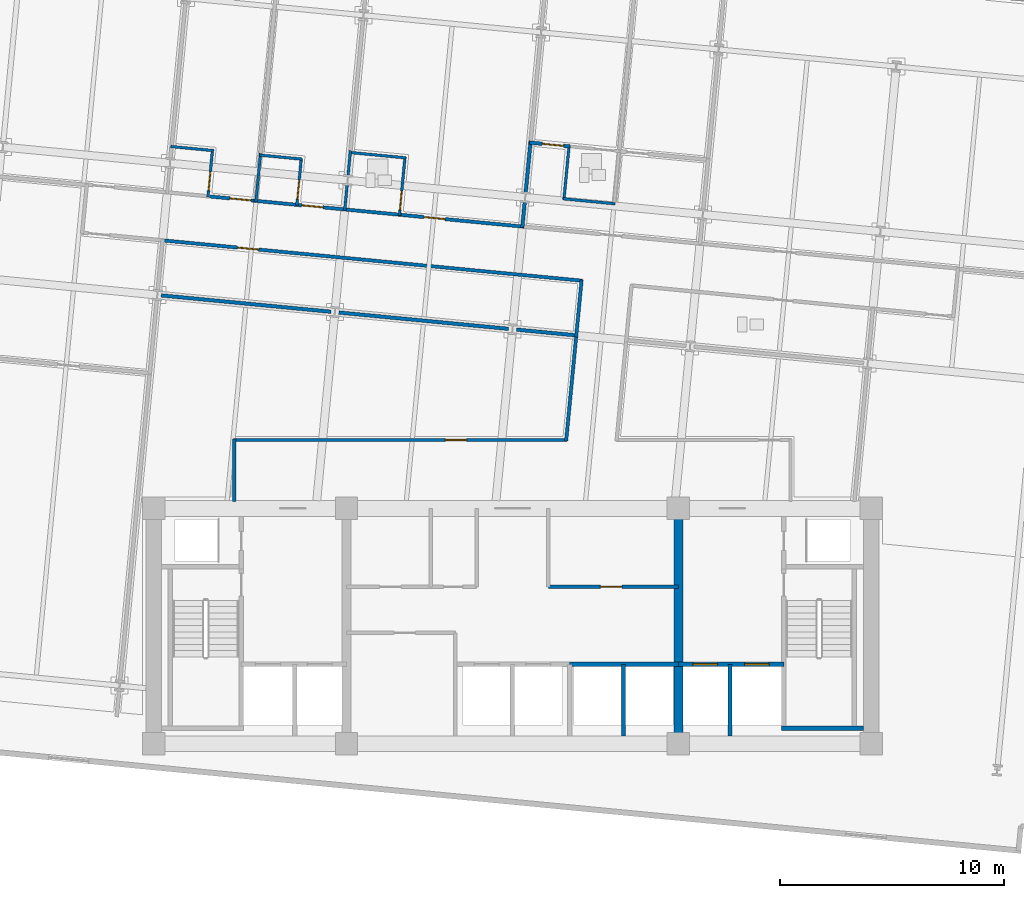
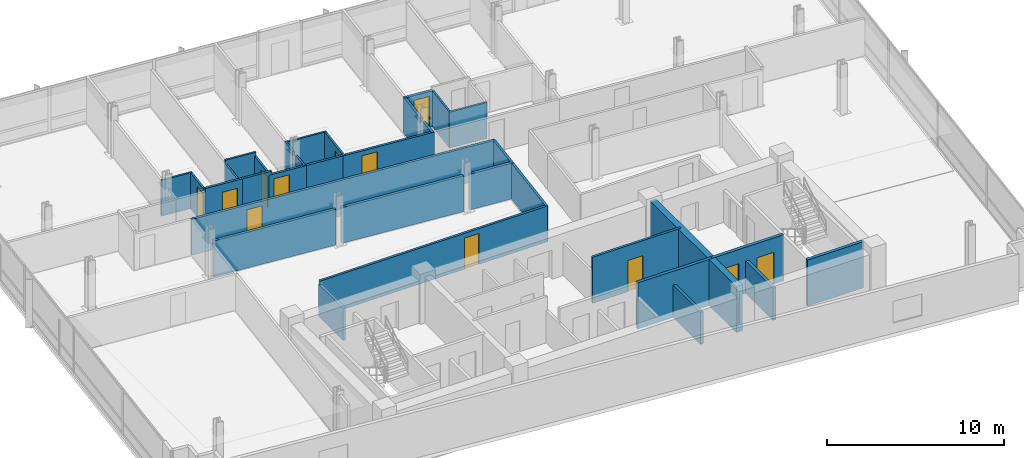
# One storey, part 11 of 17: 34 walls, 12 doors, 12 openings.
"""IFC4 building model written with IfcOpenShell, lengths in metres."""

from ifc_helpers import new_model, si_unit, direction, frame, frame_2d, origin, place, context, subcontext, project, spatial, rectangle, extrude, material, layer, layer_set, type_object, element, fill, save


model = new_model("IFC4")

# Units and contexts
model_context = context("Model", 3, precision=1e-05, world=origin(), true_north=direction((0.0, 1.0)))
body_context = subcontext(model_context, "Body", "Model", "MODEL_VIEW")
ifc_project = project(units=[si_unit("LENGTHUNIT", "METRE"), si_unit("AREAUNIT", "SQUARE_METRE"), si_unit("VOLUMEUNIT", "CUBIC_METRE"), si_unit("PLANEANGLEUNIT", "RADIAN"), si_unit("MASSUNIT", "GRAM", prefix="KILO")], contexts=[model_context])

# Site, building, storey
site_placement = place(None, origin())
site = spatial("IfcSite", under=ifc_project, at=site_placement, CompositionType="ELEMENT")
building_placement = place(site_placement, origin())
building = spatial("IfcBuilding", under=site, at=building_placement, Name="Solmavex Isthmus Hotel", CompositionType="ELEMENT")
storey_placement = place(building_placement, frame((0.0, 0.0, 156.60009765625)))
storey = spatial("IfcBuildingStorey", under=building, at=storey_placement, Name="L42", CompositionType="ELEMENT", Elevation=156.60009765625)

# Walls
ifc_material_1 = material(Name="Gypsum plasterboard lining", Category="gypsum")
ifc_layer_1 = layer(ifc_material_1, 0.159912109375)
ifc_layer_set_1 = layer_set([ifc_layer_1], Name="Gypsum plasterboard lining")
wall_type_1 = type_object("IfcWallType", Name="IW-COMP-160", PredefinedType="PARTITIONING", material=ifc_layer_set_1)
wall_1_placement = place(storey_placement, frame((0.55078125, 11.196044921875, 0.0), z_axis=(0.0, 0.0, 1.0), x_axis=(-0.096017994315, -0.995379598328, 0.0)))
element("IfcWall", 1, at=wall_1_placement, inside=storey, type_object=wall_type_1, Name="Interior Partition Wall W-L42-P040", PredefinedType="PARTITIONING", context=body_context, shape_type="SweptSolid", body=[
    extrude(rectangle(XDim=1.172119140625, YDim=0.159912109375, at=frame_2d((0.5859375, 0.0))), origin(), (0.0, 0.0, 1.0), 2.4794921875),
])
wall_2_placement = place(storey_placement, frame((0.810302734375, 13.8916015625, 0.0), z_axis=(0.0, 0.0, 1.0), x_axis=(-0.095850619404, -0.995395729728, 0.0)))
element("IfcWall", 2, at=wall_2_placement, inside=storey, type_object=wall_type_1, Name="Interior Partition Wall W-L42-P041", PredefinedType="PARTITIONING", context=body_context, shape_type="SweptSolid", body=[
    extrude(rectangle(XDim=2.35595703125, YDim=0.159912109375, at=frame_2d((1.177978515625, 0.0))), origin(), (0.0, 0.0, 1.0), 2.4794921875),
])

# Wall, opening, door
wall_3_placement = place(storey_placement, frame((0.762451171875, 13.813720703125, 0.0), z_axis=(0.0, 0.0, 1.0), x_axis=(0.995394173932, -0.095866774755, 0.0)))
wall_3 = element("IfcWall", 3, at=wall_3_placement, inside=storey, type_object=wall_type_1, Name="Interior Partition Wall W-L42-P044", PredefinedType="PARTITIONING", context=body_context, shape_type="SweptSolid", body=[
    extrude(rectangle(XDim=1.80810546875, YDim=0.159912109375, at=frame_2d((0.904052734375, 0.0))), origin(), (0.0, 0.0, 1.0), 2.4794921875),
])
opening_1_placement = place(wall_3_placement, frame((0.57421875, 0.0, 0.0)))
opening_1 = element("IfcOpeningElement", 4, at=opening_1_placement, cuts=wall_3, Name="Opening ID-C095", PredefinedType="OPENING", context=body_context, shape_type="SweptSolid", body=[
    extrude(rectangle(XDim=0.949951171875, YDim=2.14990234375, at=frame_2d((0.47509765625, 1.074951171875))), frame((0.0, 0.08984375, 0.0), z_axis=(0.0, -1.0, 0.0), x_axis=(1.0, 0.0, 0.0)), (0.0, 0.0, 1.0), 0.179931640625),
])
ifc_material_2 = material(Name="Hardwood timber", Category="wood")
door_type_1 = type_object("IfcDoorType", Name="IDR-FD60-0950", OperationType="NOTDEFINED", PredefinedType="DOOR", material=ifc_material_2)
door_1_placement = place(opening_1_placement, origin())
door_1 = element("IfcDoor", 5, at=door_1_placement, inside=storey, type_object=door_type_1, Name="Ambassador Suite Bedroom Door L42-09", OperationType="SINGLE_SWING_LEFT", OverallHeight=2.14990234375, OverallWidth=0.949951171875, PredefinedType="DOOR", context=body_context, shape_type="SweptSolid", body=[
    extrude(rectangle(XDim=0.949951171875, YDim=2.14990234375, at=frame_2d((0.47509765625, 1.074951171875))), frame((0.0, 0.02490234375, 0.0), z_axis=(0.0, -1.0, 0.0), x_axis=(1.0, 0.0, 0.0)), (0.0, 0.0, 1.0), 0.050048828125),
])
fill(opening_1, door_1)

# Walls
for number, where, z_axis, x_axis, name in (
    (6, (-8.09326171875, 6.269775390625, 0.0), (0.0, 0.0, 1.0), (-0.995396962155, 0.095837819954, 0.0), "Interior Partition Wall W-L42-P060"),
    (7, (-0.173828125, 5.507080078125, 0.0), (0.0, 0.0, 1.0), (-0.995393898805, 0.095869631385, 0.0), "Interior Partition Wall W-L42-P061"),
):
    element("IfcWall", number, at=place(storey_placement, frame(where, z_axis=z_axis, x_axis=x_axis)), inside=storey, type_object=wall_type_1, Name=name, PredefinedType="PARTITIONING", context=body_context, shape_type="SweptSolid", body=[
        extrude(rectangle(XDim=7.60400390625, YDim=0.159912109375, at=frame_2d((3.802001953125, 0.0))), origin(), (0.0, 0.0, 1.0), 2.4794921875),
    ])
wall_4_placement = place(storey_placement, frame((2.885986328125, 5.212646484375, 0.0), z_axis=(0.0, 0.0, 1.0), x_axis=(-0.995401466761, 0.095791022391, 0.0)))
element("IfcWall", 8, at=wall_4_placement, inside=storey, type_object=wall_type_1, Name="Interior Partition Wall W-L42-P062", PredefinedType="PARTITIONING", context=body_context, shape_type="SweptSolid", body=[
    extrude(rectangle(XDim=2.721923828125, YDim=0.159912109375, at=frame_2d((1.36083984375, 0.0))), origin(), (0.0, 0.0, 1.0), 2.4794921875),
])

# Wall, opening, door
ifc_layer_2 = layer(ifc_material_1, 0.14990234375)
ifc_layer_set_2 = layer_set([ifc_layer_2], Name="Gypsum plasterboard lining")
wall_type_2 = type_object("IfcWallType", Name="IW-CORR-150", PredefinedType="PARTITIONING", material=ifc_layer_set_2)
wall_5_placement = place(storey_placement, frame((1.60009765625, -6.0, 0.0), z_axis=(0.0, 0.0, 1.0), x_axis=(1.0, 0.0, 0.0)))
wall_5 = element("IfcWall", 9, at=wall_5_placement, inside=storey, type_object=wall_type_2, Name="Interior Partition Wall W-L42-BOH-ES", PredefinedType="PARTITIONING", context=body_context, shape_type="SweptSolid", body=[
    extrude(rectangle(XDim=5.7998046875, YDim=0.14990234375, at=frame_2d((2.89990234375, 0.0))), origin(), (0.0, 0.0, 1.0), 3.18994140625),
])
opening_2_placement = place(wall_5_placement, frame((2.324951171875, 0.0, 0.0)))
opening_2 = element("IfcOpeningElement", 10, at=opening_2_placement, cuts=wall_5, Name="Opening ID-C095", PredefinedType="OPENING", context=body_context, shape_type="SweptSolid", body=[
    extrude(rectangle(XDim=0.949951171875, YDim=2.14990234375, at=frame_2d((0.47509765625, 1.074951171875))), frame((0.0, 0.0849609375, 0.0), z_axis=(0.0, -1.0, 0.0), x_axis=(1.0, 0.0, 0.0)), (0.0, 0.0, 1.0), 0.169921875),
])
door_2_placement = place(opening_2_placement, frame((0.949951171875, 0.0, 0.0), z_axis=(0.0, 0.0, 1.0), x_axis=(-1.0, 0.0, 0.0)))
door_2 = element("IfcDoor", 11, at=door_2_placement, inside=storey, type_object=door_type_1, Name="Butler Pantry Door L42", OperationType="SINGLE_SWING_RIGHT", OverallHeight=2.14990234375, OverallWidth=0.949951171875, PredefinedType="DOOR", context=body_context, shape_type="SweptSolid", body=[
    extrude(rectangle(XDim=0.949951171875, YDim=2.14990234375, at=frame_2d((0.47509765625, 1.074951171875))), frame((0.0, 0.02490234375, 0.0), z_axis=(0.0, -1.0, 0.0), x_axis=(1.0, 0.0, 0.0)), (0.0, 0.0, 1.0), 0.050048828125),
])
fill(opening_2, door_2)

wall_6_placement = place(storey_placement, frame((-13.65673828125, 11.4267578125, 0.0), z_axis=(0.0, 0.0, 1.0), x_axis=(0.995393345625, -0.095875374756, 0.0)))
wall_6 = element("IfcWall", 12, at=wall_6_placement, inside=storey, type_object=wall_type_2, Name="Interior Partition Wall W-L42-P002", PredefinedType="PARTITIONING", context=body_context, shape_type="SweptSolid", body=[
    extrude(rectangle(XDim=2.312255859375, YDim=0.14990234375, at=frame_2d((1.15625, 0.0))), origin(), (0.0, 0.0, 1.0), 2.718017578125),
])
opening_3_placement = place(wall_6_placement, frame((1.05615234375, 0.0, 0.0)))
opening_3 = element("IfcOpeningElement", 13, at=opening_3_placement, cuts=wall_6, Name="Opening ID-C095", PredefinedType="OPENING", context=body_context, shape_type="SweptSolid", body=[
    extrude(rectangle(XDim=0.949951171875, YDim=2.14990234375, at=frame_2d((0.47509765625, 1.074951171875))), frame((0.0, 0.0849609375, 0.0), z_axis=(0.0, -1.0, 0.0), x_axis=(1.0, 0.0, 0.0)), (0.0, 0.0, 1.0), 0.169921875),
])
door_3_placement = place(opening_3_placement, frame((0.949951171875, 0.0, 0.0), z_axis=(0.0, 0.0, 1.0), x_axis=(-1.0, 0.0, 0.0)))
door_3 = element("IfcDoor", 14, at=door_3_placement, inside=storey, type_object=door_type_1, Name="Premier Guest Room Door L42-02", OperationType="SINGLE_SWING_RIGHT", OverallHeight=2.14990234375, OverallWidth=0.949951171875, PredefinedType="DOOR", context=body_context, shape_type="SweptSolid", body=[
    extrude(rectangle(XDim=0.949951171875, YDim=2.14990234375, at=frame_2d((0.47509765625, 1.074951171875))), frame((0.0, 0.02490234375, 0.0), z_axis=(0.0, -1.0, 0.0), x_axis=(1.0, 0.0, 0.0)), (0.0, 0.0, 1.0), 0.050048828125),
])
fill(opening_3, door_3)

wall_7_placement = place(storey_placement, frame((-9.697021484375, 11.04541015625, 0.0), z_axis=(0.0, 0.0, 1.0), x_axis=(0.995393345625, -0.095875374756, 0.0)))
wall_7 = element("IfcWall", 15, at=wall_7_placement, inside=storey, type_object=wall_type_2, Name="Interior Partition Wall W-L42-P004", PredefinedType="PARTITIONING", context=body_context, shape_type="SweptSolid", body=[
    extrude(rectangle(XDim=2.312255859375, YDim=0.14990234375, at=frame_2d((1.15625, 0.0))), origin(), (0.0, 0.0, 1.0), 2.4794921875),
])
opening_4_placement = place(wall_7_placement, frame((0.30615234375, 0.0, 0.0)))
opening_4 = element("IfcOpeningElement", 16, at=opening_4_placement, cuts=wall_7, Name="Opening ID-C095", PredefinedType="OPENING", context=body_context, shape_type="SweptSolid", body=[
    extrude(rectangle(XDim=0.949951171875, YDim=2.14990234375, at=frame_2d((0.47509765625, 1.074951171875))), frame((0.0, 0.0849609375, 0.0), z_axis=(0.0, -1.0, 0.0), x_axis=(1.0, 0.0, 0.0)), (0.0, 0.0, 1.0), 0.169921875),
])
door_4_placement = place(opening_4_placement, frame((0.949951171875, 0.0, 0.0), z_axis=(0.0, 0.0, 1.0), x_axis=(-1.0, 0.0, 0.0)))
door_4 = element("IfcDoor", 17, at=door_4_placement, inside=storey, type_object=door_type_1, Name="Deluxe Guest Room Door L42-04", OperationType="SINGLE_SWING_RIGHT", OverallHeight=2.14990234375, OverallWidth=0.949951171875, PredefinedType="DOOR", context=body_context, shape_type="SweptSolid", body=[
    extrude(rectangle(XDim=0.949951171875, YDim=2.14990234375, at=frame_2d((0.47509765625, 1.074951171875))), frame((0.0, 0.02490234375, 0.0), z_axis=(0.0, -1.0, 0.0), x_axis=(1.0, 0.0, 0.0)), (0.0, 0.0, 1.0), 0.050048828125),
])
fill(opening_4, door_4)

# Wall
wall_8_placement = place(storey_placement, frame((-11.5185546875, 11.220947265625, 0.0), z_axis=(0.0, 0.0, 1.0), x_axis=(0.995394211968, -0.095866379824, 0.0)))
element("IfcWall", 18, at=wall_8_placement, inside=storey, type_object=wall_type_2, Name="Interior Partition Wall W-L42-P005", PredefinedType="PARTITIONING", context=body_context, shape_type="SweptSolid", body=[
    extrude(rectangle(XDim=1.994140625, YDim=0.14990234375, at=frame_2d((0.9970703125, 0.0))), origin(), (0.0, 0.0, 1.0), 2.718017578125),
])

# Wall, opening, door
wall_9_placement = place(storey_placement, frame((-5.1201171875, 10.604736328125, 0.0), z_axis=(0.0, 0.0, 1.0), x_axis=(0.995395844771, -0.095849424686, 0.0)))
wall_9 = element("IfcWall", 19, at=wall_9_placement, inside=storey, type_object=wall_type_2, Name="Interior Partition Wall W-L42-P006", PredefinedType="PARTITIONING", context=body_context, shape_type="SweptSolid", body=[
    extrude(rectangle(XDim=5.669921875, YDim=0.14990234375, at=frame_2d((2.8349609375, 0.0))), origin(), (0.0, 0.0, 1.0), 2.4794921875),
])
opening_5_placement = place(wall_9_placement, frame((1.18603515625, 0.0, 0.0)))
opening_5 = element("IfcOpeningElement", 20, at=opening_5_placement, cuts=wall_9, Name="Opening ID-C095", PredefinedType="OPENING", context=body_context, shape_type="SweptSolid", body=[
    extrude(rectangle(XDim=0.949951171875, YDim=2.14990234375, at=frame_2d((0.47509765625, 1.074951171875))), frame((0.0, 0.0849609375, 0.0), z_axis=(0.0, -1.0, 0.0), x_axis=(1.0, 0.0, 0.0)), (0.0, 0.0, 1.0), 0.169921875),
])
door_5_placement = place(opening_5_placement, frame((0.949951171875, 0.0, 0.0), z_axis=(0.0, 0.0, 1.0), x_axis=(-1.0, 0.0, 0.0)))
door_5 = element("IfcDoor", 21, at=door_5_placement, inside=storey, type_object=door_type_1, Name="Junior Suite Door L42-06", OperationType="SINGLE_SWING_RIGHT", OverallHeight=2.14990234375, OverallWidth=0.949951171875, PredefinedType="DOOR", context=body_context, shape_type="SweptSolid", body=[
    extrude(rectangle(XDim=0.949951171875, YDim=2.14990234375, at=frame_2d((0.47509765625, 1.074951171875))), frame((0.0, 0.02490234375, 0.0), z_axis=(0.0, -1.0, 0.0), x_axis=(1.0, 0.0, 0.0)), (0.0, 0.0, 1.0), 0.050048828125),
])
fill(opening_5, door_5)

# Walls
wall_10_placement = place(storey_placement, frame((-7.558837890625, 10.839599609375, 0.0), z_axis=(0.0, 0.0, 1.0), x_axis=(0.995398413865, -0.095822740911, 0.0)))
element("IfcWall", 22, at=wall_10_placement, inside=storey, type_object=wall_type_2, Name="Interior Partition Wall W-L42-P007", PredefinedType="PARTITIONING", context=body_context, shape_type="SweptSolid", body=[
    extrude(rectangle(XDim=2.614013671875, YDim=0.14990234375, at=frame_2d((1.30712890625, 0.0))), origin(), (0.0, 0.0, 1.0), 2.4794921875),
])
wall_11_placement = place(storey_placement, frame((2.83837890625, 5.134765625, 0.0), z_axis=(0.0, 0.0, 1.0), x_axis=(0.095772090971, 0.995403288417, 0.0)))
element("IfcWall", 23, at=wall_11_placement, inside=storey, type_object=wall_type_2, Name="Interior Partition Wall W-L42-P012", PredefinedType="PARTITIONING", context=body_context, shape_type="SweptSolid", body=[
    extrude(rectangle(XDim=2.572021484375, YDim=0.14990234375, at=frame_2d((1.2861328125, 0.0))), origin(), (0.0, 0.0, 1.0), 2.4794921875),
])

# Wall, opening, door
wall_12_placement = place(storey_placement, frame((3.120849609375, 7.6513671875, 0.0), z_axis=(0.0, 0.0, 1.0), x_axis=(-0.995397135603, 0.095836018457, 0.0)))
wall_12 = element("IfcWall", 24, at=wall_12_placement, inside=storey, type_object=wall_type_2, Name="Interior Partition Wall W-L42-P013", PredefinedType="PARTITIONING", context=body_context, shape_type="SweptSolid", body=[
    extrude(rectangle(XDim=18.89208984375, YDim=0.14990234375, at=frame_2d((9.446044921875, 0.0))), origin(), (0.0, 0.0, 1.0), 2.4794921875),
])
opening_6_placement = place(wall_12_placement, frame((14.501708984375, 0.0, 0.0)))
opening_6 = element("IfcOpeningElement", 25, at=opening_6_placement, cuts=wall_12, Name="Opening ID-C095", PredefinedType="OPENING", context=body_context, shape_type="SweptSolid", body=[
    extrude(rectangle(XDim=0.949951171875, YDim=2.14990234375, at=frame_2d((0.47509765625, 1.074951171875))), frame((0.0, 0.0849609375, 0.0), z_axis=(0.0, -1.0, 0.0), x_axis=(1.0, 0.0, 0.0)), (0.0, 0.0, 1.0), 0.169921875),
])
door_6_placement = place(opening_6_placement, frame((0.949951171875, 0.0, 0.0), z_axis=(0.0, 0.0, 1.0), x_axis=(-1.0, 0.0, 0.0)))
door_6 = element("IfcDoor", 26, at=door_6_placement, inside=storey, type_object=door_type_1, Name="Catering Servery Kitchen Door L42-14", OperationType="SINGLE_SWING_RIGHT", OverallHeight=2.14990234375, OverallWidth=0.949951171875, PredefinedType="DOOR", context=body_context, shape_type="SweptSolid", body=[
    extrude(rectangle(XDim=0.949951171875, YDim=2.14990234375, at=frame_2d((0.47509765625, 1.074951171875))), frame((0.0, 0.02490234375, 0.0), z_axis=(0.0, -1.0, 0.0), x_axis=(1.0, 0.0, 0.0)), (0.0, 0.0, 1.0), 0.050048828125),
])
fill(opening_6, door_6)

# Wall
wall_13_placement = place(storey_placement, frame((-12.39990234375, -2.18994140625, 0.0), z_axis=(0.0, 0.0, 1.0), x_axis=(0.0, 1.0, 0.0)))
element("IfcWall", 27, at=wall_13_placement, inside=storey, type_object=wall_type_2, Name="Interior Partition Wall W-L42-P019", PredefinedType="PARTITIONING", context=body_context, shape_type="SweptSolid", body=[
    extrude(rectangle(XDim=2.780029296875, YDim=0.14990234375, at=frame_2d((1.39013671875, 0.0))), origin(), (0.0, 0.0, 1.0), 2.224853515625),
])

# Wall, opening, door
wall_14_placement = place(storey_placement, frame((-12.43994140625, 0.550048828125, 0.0), z_axis=(0.0, 0.0, 1.0), x_axis=(1.0, 0.0, 0.0)))
wall_14 = element("IfcWall", 28, at=wall_14_placement, inside=storey, type_object=wall_type_2, Name="Interior Partition Wall W-L42-P020", PredefinedType="PARTITIONING", context=body_context, shape_type="SweptSolid", body=[
    extrude(rectangle(XDim=14.876708984375, YDim=0.14990234375, at=frame_2d((7.4384765625, 0.0))), origin(), (0.0, 0.0, 1.0), 2.4794921875),
])
opening_7_placement = place(wall_14_placement, frame((9.44921875, 0.0, 0.0)))
opening_7 = element("IfcOpeningElement", 29, at=opening_7_placement, cuts=wall_14, Name="Opening ID-C095", PredefinedType="OPENING", context=body_context, shape_type="SweptSolid", body=[
    extrude(rectangle(XDim=0.949951171875, YDim=2.14990234375, at=frame_2d((0.47509765625, 1.074951171875))), frame((0.0, 0.0849609375, 0.0), z_axis=(0.0, -1.0, 0.0), x_axis=(1.0, 0.0, 0.0)), (0.0, 0.0, 1.0), 0.169921875),
])
door_7_placement = place(opening_7_placement, frame((0.949951171875, 0.0, 0.0), z_axis=(0.0, 0.0, 1.0), x_axis=(-1.0, 0.0, 0.0)))
door_7 = element("IfcDoor", 30, at=door_7_placement, inside=storey, type_object=door_type_1, Name="Seminar Meeting Room Door L42-17", OperationType="SINGLE_SWING_LEFT", OverallHeight=2.14990234375, OverallWidth=0.949951171875, PredefinedType="DOOR", context=body_context, shape_type="SweptSolid", body=[
    extrude(rectangle(XDim=0.949951171875, YDim=2.14990234375, at=frame_2d((0.47509765625, 1.074951171875))), frame((0.0, 0.02490234375, 0.0), z_axis=(0.0, -1.0, 0.0), x_axis=(1.0, 0.0, 0.0)), (0.0, 0.0, 1.0), 0.050048828125),
])
fill(opening_7, door_7)

# Wall
wall_15_placement = place(storey_placement, frame((2.39306640625, 0.51025390625, 0.0), z_axis=(0.0, 0.0, 1.0), x_axis=(0.095829431913, 0.995397769728, 0.0)))
element("IfcWall", 31, at=wall_15_placement, inside=storey, type_object=wall_type_2, Name="Interior Partition Wall W-L42-P021", PredefinedType="PARTITIONING", context=body_context, shape_type="SweptSolid", body=[
    extrude(rectangle(XDim=4.81005859375, YDim=0.14990234375, at=frame_2d((2.405029296875, 0.0))), origin(), (0.0, 0.0, 1.0), 2.4794921875),
])

# Wall, opening, door
ifc_layer_3 = layer(ifc_material_1, 0.1201171875)
ifc_layer_set_3 = layer_set([ifc_layer_3], Name="Gypsum plasterboard lining")
wall_type_3 = type_object("IfcWallType", Name="IW-PART-120", PredefinedType="PARTITIONING", material=ifc_layer_set_3)
wall_16_placement = place(storey_placement, frame((-13.578857421875, 11.379150390625, 0.0), z_axis=(0.0, 0.0, 1.0), x_axis=(0.095825980341, 0.995398102013, 0.0)))
wall_16 = element("IfcWall", 32, at=wall_16_placement, inside=storey, type_object=wall_type_3, Name="Interior Partition Wall W-L42-P028", PredefinedType="PARTITIONING", context=body_context, shape_type="SweptSolid", body=[
    extrude(rectangle(XDim=2.1298828125, YDim=0.1201171875, at=frame_2d((1.06494140625, 0.0))), origin(), (0.0, 0.0, 1.0), 2.4794921875),
])
opening_8_placement = place(wall_16_placement, frame((0.295654296875, 0.0, 0.0)))
opening_8 = element("IfcOpeningElement", 33, at=opening_8_placement, cuts=wall_16, Name="Opening ID-U085", PredefinedType="OPENING", context=body_context, shape_type="SweptSolid", body=[
    extrude(rectangle(XDim=0.85009765625, YDim=2.10009765625, at=frame_2d((0.425048828125, 1.050048828125))), frame((0.0, 0.070068359375, 0.0), z_axis=(0.0, -1.0, 0.0), x_axis=(1.0, 0.0, 0.0)), (0.0, 0.0, 1.0), 0.14013671875),
])
door_type_2 = type_object("IfcDoorType", Name="IDR-UNR-0850", OperationType="NOTDEFINED", PredefinedType="DOOR", material=ifc_material_2)
door_8_placement = place(opening_8_placement, frame((0.85009765625, 0.0, 0.0), z_axis=(0.0, 0.0, 1.0), x_axis=(-1.0, 0.0, 0.0)))
door_8 = element("IfcDoor", 34, at=door_8_placement, inside=storey, type_object=door_type_2, Name="En-suite Bathroom Door L42-03", OperationType="SINGLE_SWING_LEFT", OverallHeight=2.10009765625, OverallWidth=0.85009765625, PredefinedType="DOOR", context=body_context, shape_type="SweptSolid", body=[
    extrude(rectangle(XDim=0.85009765625, YDim=2.10009765625, at=frame_2d((0.425048828125, 1.050048828125))), frame((0.0, 0.02490234375, 0.0), z_axis=(0.0, -1.0, 0.0), x_axis=(1.0, 0.0, 0.0)), (0.0, 0.0, 1.0), 0.050048828125),
])
fill(opening_8, door_8)

# Walls
wall_17_placement = place(storey_placement, frame((-13.3388671875, 13.45556640625, 0.0), z_axis=(0.0, 0.0, 1.0), x_axis=(-0.995393793358, 0.095870726213, 0.0)))
element("IfcWall", 35, at=wall_17_placement, inside=storey, type_object=wall_type_3, Name="Interior Partition Wall W-L42-P029", PredefinedType="PARTITIONING", context=body_context, shape_type="SweptSolid", body=[
    extrude(rectangle(XDim=1.909912109375, YDim=0.1201171875, at=frame_2d((0.955078125, 0.0))), origin(), (0.0, 0.0, 1.0), 2.4794921875),
])
wall_18_placement = place(storey_placement, frame((-11.232666015625, 13.335205078125, 0.0), z_axis=(0.0, 0.0, 1.0), x_axis=(-0.09576380767, -0.995404085355, 0.0)))
element("IfcWall", 36, at=wall_18_placement, inside=storey, type_object=wall_type_3, Name="Interior Partition Wall W-L42-P031", PredefinedType="PARTITIONING", context=body_context, shape_type="SweptSolid", body=[
    extrude(rectangle(XDim=2.172119140625, YDim=0.1201171875, at=frame_2d((1.0859375, 0.0))), origin(), (0.0, 0.0, 1.0), 2.4794921875),
])

# Wall, opening, door
wall_19_placement = place(storey_placement, frame((-9.619384765625, 10.997802734375, 0.0), z_axis=(0.0, 0.0, 1.0), x_axis=(0.095939550296, 0.995387162208, 0.0)))
wall_19 = element("IfcWall", 37, at=wall_19_placement, inside=storey, type_object=wall_type_3, Name="Interior Partition Wall W-L42-P032", PredefinedType="PARTITIONING", context=body_context, shape_type="SweptSolid", body=[
    extrude(rectangle(XDim=2.1298828125, YDim=0.1201171875, at=frame_2d((1.06494140625, 0.0))), origin(), (0.0, 0.0, 1.0), 2.4794921875),
])
opening_9_placement = place(wall_19_placement, frame((0.295654296875, 0.0, 0.0)))
opening_9 = element("IfcOpeningElement", 38, at=opening_9_placement, cuts=wall_19, Name="Opening ID-U085", PredefinedType="OPENING", context=body_context, shape_type="SweptSolid", body=[
    extrude(rectangle(XDim=0.85009765625, YDim=2.10009765625, at=frame_2d((0.425048828125, 1.050048828125))), frame((0.0, 0.070068359375, 0.0), z_axis=(0.0, -1.0, 0.0), x_axis=(1.0, 0.0, 0.0)), (0.0, 0.0, 1.0), 0.14013671875),
])
door_9_placement = place(opening_9_placement, origin())
door_9 = element("IfcDoor", 39, at=door_9_placement, inside=storey, type_object=door_type_2, Name="En-suite Bathroom Door L42-05", OperationType="SINGLE_SWING_LEFT", OverallHeight=2.10009765625, OverallWidth=0.85009765625, PredefinedType="DOOR", context=body_context, shape_type="SweptSolid", body=[
    extrude(rectangle(XDim=0.85009765625, YDim=2.10009765625, at=frame_2d((0.425048828125, 1.050048828125))), frame((0.0, 0.02490234375, 0.0), z_axis=(0.0, -1.0, 0.0), x_axis=(1.0, 0.0, 0.0)), (0.0, 0.0, 1.0), 0.050048828125),
])
fill(opening_9, door_9)

# Walls
wall_20_placement = place(storey_placement, frame((-9.379150390625, 13.07421875, 0.0), z_axis=(0.0, 0.0, 1.0), x_axis=(-0.995393793358, 0.095870726213, 0.0)))
element("IfcWall", 40, at=wall_20_placement, inside=storey, type_object=wall_type_3, Name="Interior Partition Wall W-L42-P033", PredefinedType="PARTITIONING", context=body_context, shape_type="SweptSolid", body=[
    extrude(rectangle(XDim=1.909912109375, YDim=0.1201171875, at=frame_2d((0.955078125, 0.0))), origin(), (0.0, 0.0, 1.0), 2.718017578125),
])
wall_21_placement = place(storey_placement, frame((-7.36865234375, 11.95849609375, 0.0), z_axis=(0.0, 0.0, 1.0), x_axis=(-0.095831494917, -0.995397571115, 0.0)))
element("IfcWall", 41, at=wall_21_placement, inside=storey, type_object=wall_type_3, Name="Interior Partition Wall W-L42-P036", PredefinedType="PARTITIONING", context=body_context, shape_type="SweptSolid", body=[
    extrude(rectangle(XDim=1.171875, YDim=0.1201171875, at=frame_2d((0.5859375, 0.0))), origin(), (0.0, 0.0, 1.0), 2.4794921875),
])
wall_22_placement = place(storey_placement, frame((-7.224853515625, 13.45166015625, 0.0), z_axis=(0.0, 0.0, 1.0), x_axis=(-0.09590284245, -0.99539069958, 0.0)))
element("IfcWall", 42, at=wall_22_placement, inside=storey, type_object=wall_type_3, Name="Interior Partition Wall W-L42-P037", PredefinedType="PARTITIONING", context=body_context, shape_type="SweptSolid", body=[
    extrude(rectangle(XDim=1.148193359375, YDim=0.1201171875, at=frame_2d((0.57421875, 0.0))), origin(), (0.0, 0.0, 1.0), 2.4794921875),
])

# Wall, opening, door
wall_23_placement = place(storey_placement, frame((-5.042236328125, 10.55712890625, 0.0), z_axis=(0.0, 0.0, 1.0), x_axis=(0.095799078022, 0.995400691506, 0.0)))
wall_23 = element("IfcWall", 43, at=wall_23_placement, inside=storey, type_object=wall_type_3, Name="Interior Partition Wall W-L42-P038", PredefinedType="PARTITIONING", context=body_context, shape_type="SweptSolid", body=[
    extrude(rectangle(XDim=2.630126953125, YDim=0.1201171875, at=frame_2d((1.31494140625, 0.0))), origin(), (0.0, 0.0, 1.0), 2.4794921875),
])
opening_10_placement = place(wall_23_placement, frame((0.247314453125, 0.0, 0.0)))
opening_10 = element("IfcOpeningElement", 44, at=opening_10_placement, cuts=wall_23, Name="Opening ID-U085", PredefinedType="OPENING", context=body_context, shape_type="SweptSolid", body=[
    extrude(rectangle(XDim=0.85009765625, YDim=2.10009765625, at=frame_2d((0.425048828125, 1.050048828125))), frame((0.0, 0.070068359375, 0.0), z_axis=(0.0, -1.0, 0.0), x_axis=(1.0, 0.0, 0.0)), (0.0, 0.0, 1.0), 0.14013671875),
])
door_10_placement = place(opening_10_placement, frame((0.85009765625, 0.0, 0.0), z_axis=(0.0, 0.0, 1.0), x_axis=(-1.0, 0.0, 0.0)))
door_10 = element("IfcDoor", 45, at=door_10_placement, inside=storey, type_object=door_type_2, Name="En-suite Bathroom Door L42-07", OperationType="SINGLE_SWING_LEFT", OverallHeight=2.10009765625, OverallWidth=0.85009765625, PredefinedType="DOOR", context=body_context, shape_type="SweptSolid", body=[
    extrude(rectangle(XDim=0.85009765625, YDim=2.10009765625, at=frame_2d((0.425048828125, 1.050048828125))), frame((0.0, 0.02490234375, 0.0), z_axis=(0.0, -1.0, 0.0), x_axis=(1.0, 0.0, 0.0)), (0.0, 0.0, 1.0), 0.050048828125),
])
fill(opening_10, door_10)

# Walls
wall_24_placement = place(storey_placement, frame((-4.754150390625, 13.13134765625, 0.0), z_axis=(0.0, 0.0, 1.0), x_axis=(-0.995399123656, 0.09581536737, 0.0)))
element("IfcWall", 46, at=wall_24_placement, inside=storey, type_object=wall_type_3, Name="Interior Partition Wall W-L42-P039", PredefinedType="PARTITIONING", context=body_context, shape_type="SweptSolid", body=[
    extrude(rectangle(XDim=2.5302734375, YDim=0.1201171875, at=frame_2d((1.26513671875, 0.0))), origin(), (0.0, 0.0, 1.0), 2.4794921875),
])
wall_25_placement = place(storey_placement, frame((2.526123046875, 13.68408203125, 0.0), z_axis=(0.0, 0.0, 1.0), x_axis=(-0.095842578202, -0.995396504014, 0.0)))
element("IfcWall", 47, at=wall_25_placement, inside=storey, type_object=wall_type_3, Name="Interior Partition Wall W-L42-P046", PredefinedType="PARTITIONING", context=body_context, shape_type="SweptSolid", body=[
    extrude(rectangle(XDim=2.43017578125, YDim=0.1201171875, at=frame_2d((1.215087890625, 0.0))), origin(), (0.0, 0.0, 1.0), 2.4794921875),
])
wall_26_placement = place(storey_placement, frame((2.25732421875, 11.308837890625, 0.0), z_axis=(0.0, 0.0, 1.0), x_axis=(0.995393658532, -0.095872126059, 0.0)))
element("IfcWall", 48, at=wall_26_placement, inside=storey, type_object=wall_type_3, Name="Interior Partition Wall W-L42-P047", PredefinedType="PARTITIONING", context=body_context, shape_type="SweptSolid", body=[
    extrude(rectangle(XDim=2.330078125, YDim=0.1201171875, at=frame_2d((1.1650390625, 0.0))), origin(), (0.0, 0.0, 1.0), 2.4794921875),
])
ifc_material_3 = material(Name="Concrete C40/50", Category="concrete")
ifc_layer_4 = layer(ifc_material_3, 0.179931640625)
ifc_layer_set_4 = layer_set([ifc_layer_4], Name="Concrete C40/50")
wall_type_4 = type_object("IfcWallType", Name="IW-SHAFT-180", PredefinedType="PARTITIONING", material=ifc_layer_set_4)
wall_27_placement = place(storey_placement, frame((4.949951171875, -12.64990234375, 0.0), z_axis=(0.0, 0.0, 1.0), x_axis=(0.0, 1.0, 0.0)))
element("IfcWall", 49, at=wall_27_placement, inside=storey, type_object=wall_type_4, Name="Interior Partition Wall W-L42-SH-PLH-M", PredefinedType="PARTITIONING", context=body_context, shape_type="SweptSolid", body=[
    extrude(rectangle(XDim=3.199951171875, YDim=0.179931640625, at=frame_2d((1.60009765625, 0.0))), origin(), (0.0, 0.0, 1.0), 2.224853515625),
])

# Wall, openings, doors
ifc_layer_5 = layer(ifc_material_3, 0.199951171875)
ifc_layer_set_5 = layer_set([ifc_layer_5], Name="Concrete C40/50")
wall_type_5 = type_object("IfcWallType", Name="IW-SHAFT-200", PredefinedType="PARTITIONING", material=ifc_layer_set_5)
wall_28_placement = place(storey_placement, frame((7.39990234375, -9.449951171875, 0.0), z_axis=(0.0, 0.0, 1.0), x_axis=(1.0, 0.0, 0.0)))
wall_28 = element("IfcWall", 50, at=wall_28_placement, inside=storey, type_object=wall_type_5, Name="Interior Partition Wall W-L42-FFLE-S", PredefinedType="PARTITIONING", context=body_context, shape_type="SweptSolid", body=[
    extrude(rectangle(XDim=4.7001953125, YDim=0.199951171875, at=frame_2d((2.35009765625, 0.0))), origin(), (0.0, 0.0, 1.0), 3.18994140625),
])
opening_11_placement = place(wall_28_placement, frame((2.949951171875, 0.0, 0.0)))
opening_11 = element("IfcOpeningElement", 51, at=opening_11_placement, cuts=wall_28, Name="Opening LD-FF", PredefinedType="OPENING", context=body_context, shape_type="SweptSolid", body=[
    extrude(rectangle(XDim=1.10009765625, YDim=2.199951171875, at=frame_2d((0.550048828125, 1.10009765625))), frame((0.0, 0.10986328125, 0.0), z_axis=(0.0, -1.0, 0.0), x_axis=(1.0, 0.0, 0.0)), (0.0, 0.0, 1.0), 0.219970703125),
])
opening_12_placement = place(wall_28_placement, frame((0.64990234375, 0.0, 0.0)))
opening_12 = element("IfcOpeningElement", 52, at=opening_12_placement, cuts=wall_28, Name="Opening LD-SV", PredefinedType="OPENING", context=body_context, shape_type="SweptSolid", body=[
    extrude(rectangle(XDim=1.10009765625, YDim=2.199951171875, at=frame_2d((0.550048828125, 1.10009765625))), frame((0.0, 0.10986328125, 0.0), z_axis=(0.0, -1.0, 0.0), x_axis=(1.0, 0.0, 0.0)), (0.0, 0.0, 1.0), 0.219970703125),
])
ifc_material_4 = material(Name="Stainless steel 316", Category="steel")
door_type_3 = type_object("IfcDoorType", Name="LDR-FF-1100", OperationType="NOTDEFINED", PredefinedType="DOOR", material=ifc_material_4)
door_11_placement = place(opening_11_placement, origin())
door_11 = element("IfcDoor", 53, at=door_11_placement, inside=storey, type_object=door_type_3, Name="Lift Landing Door FFL-2 L42", OperationType="SLIDING_TO_LEFT", OverallHeight=2.199951171875, OverallWidth=1.10009765625, PredefinedType="DOOR", context=body_context, shape_type="SweptSolid", body=[
    extrude(rectangle(XDim=1.10009765625, YDim=2.199951171875, at=frame_2d((0.550048828125, 1.10009765625))), frame((0.0, 0.02490234375, 0.0), z_axis=(0.0, -1.0, 0.0), x_axis=(1.0, 0.0, 0.0)), (0.0, 0.0, 1.0), 0.050048828125),
])
fill(opening_11, door_11)
door_type_4 = type_object("IfcDoorType", Name="LDR-SV-1100", OperationType="NOTDEFINED", PredefinedType="DOOR", material=ifc_material_4)
door_12_placement = place(opening_12_placement, origin())
door_12 = element("IfcDoor", 54, at=door_12_placement, inside=storey, type_object=door_type_4, Name="Lift Landing Door SVL-2 L42", OperationType="SLIDING_TO_RIGHT", OverallHeight=2.199951171875, OverallWidth=1.10009765625, PredefinedType="DOOR", context=body_context, shape_type="SweptSolid", body=[
    extrude(rectangle(XDim=1.10009765625, YDim=2.199951171875, at=frame_2d((0.550048828125, 1.10009765625))), frame((0.0, 0.02490234375, 0.0), z_axis=(0.0, -1.0, 0.0), x_axis=(1.0, 0.0, 0.0)), (0.0, 0.0, 1.0), 0.050048828125),
])
fill(opening_12, door_12)

# Walls
wall_29_placement = place(storey_placement, frame((9.699951171875, -12.64990234375, 0.0), z_axis=(0.0, 0.0, 1.0), x_axis=(0.0, 1.0, 0.0)))
element("IfcWall", 55, at=wall_29_placement, inside=storey, type_object=wall_type_5, Name="Interior Partition Wall W-L42-FFLE-M", PredefinedType="PARTITIONING", context=body_context, shape_type="SweptSolid", body=[
    extrude(rectangle(XDim=3.199951171875, YDim=0.199951171875, at=frame_2d((1.60009765625, 0.0))), origin(), (0.0, 0.0, 1.0), 2.224853515625),
])
wall_30_placement = place(storey_placement, frame((2.550048828125, -9.449951171875, 0.0), z_axis=(0.0, 0.0, 1.0), x_axis=(1.0, 0.0, 0.0)))
element("IfcWall", 56, at=wall_30_placement, inside=storey, type_object=wall_type_5, Name="Interior Partition Wall W-L42-SH-PLH", PredefinedType="PARTITIONING", context=body_context, shape_type="SweptSolid", body=[
    extrude(rectangle(XDim=4.849853515625, YDim=0.199951171875, at=frame_2d((2.4248046875, 0.0))), origin(), (0.0, 0.0, 1.0), 3.18994140625),
])
ifc_material_5 = material(Name="Concrete C60/75", Category="concrete")
ifc_layer_6 = layer(ifc_material_5, 0.39990234375)
ifc_layer_set_6 = layer_set([ifc_layer_6], Name="Concrete C60/75")
wall_type_6 = type_object("IfcWallType", Name="WALL-CW-400M", PredefinedType="SHEAR", material=ifc_layer_set_6)
wall_31_placement = place(storey_placement, frame((7.39990234375, -12.64990234375, 0.0), z_axis=(0.0, 0.0, 1.0), x_axis=(0.0, 1.0, 0.0)))
element("IfcWall", 57, at=wall_31_placement, inside=storey, type_object=wall_type_6, Name="Core Cross Shear Wall C2 L42", PredefinedType="SHEAR", context=body_context, shape_type="SweptSolid", body=[
    extrude(rectangle(XDim=9.7998046875, YDim=0.39990234375, at=frame_2d((4.89990234375, 0.0))), origin(), (0.0, 0.0, 1.0), 3.18994140625),
])
ifc_layer_7 = layer(ifc_material_3, 0.199951171875)
ifc_layer_set_7 = layer_set([ifc_layer_7], Name="Concrete C40/50")
wall_type_7 = type_object("IfcWallType", Name="WALL-SW-200", PredefinedType="SOLIDWALL", material=ifc_layer_set_7)
wall_32_placement = place(storey_placement, frame((12.0, -12.300048828125, 0.0), z_axis=(0.0, 0.0, 1.0), x_axis=(1.0, 0.0, 0.0)))
element("IfcWall", 58, at=wall_32_placement, inside=storey, type_object=wall_type_7, Name="Stairwell Structural Wall SW-L42-ST2-S", PredefinedType="SOLIDWALL", context=body_context, shape_type="SweptSolid", body=[
    extrude(rectangle(XDim=3.64990234375, YDim=0.199951171875, at=frame_2d((1.824951171875, 0.0))), origin(), (0.0, 0.0, 1.0), 3.18994140625),
])

save(model, "model.ifc")
